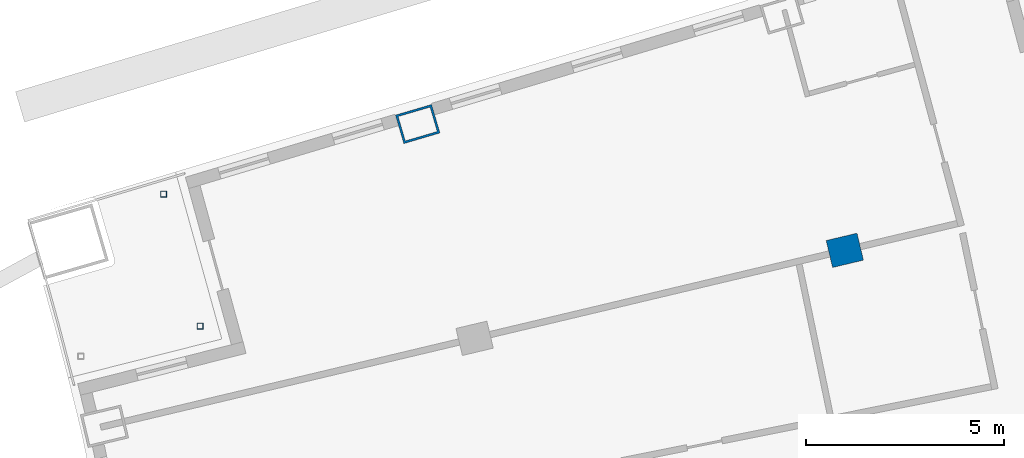
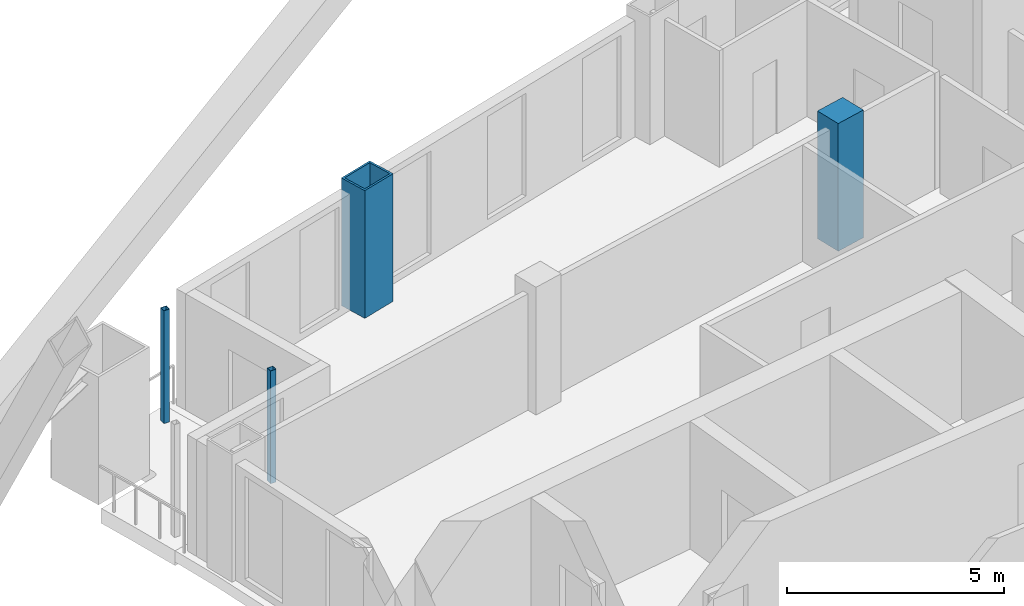
# One storey, part 7 of 20: 4 columns.
"""IFC4 building model written with IfcOpenShell, lengths in metres."""

import ifcopenshell
import ifcopenshell.guid

model = None  # the IFC model being written
_history = None  # IfcOwnerHistory: only IFC2X3 demands one
_inside = {}  # id of a spatial element -> (the spatial element, [elements in it])
_under = {}  # id of a project, library or spatial element -> (it, [spatial elements below it])
_declared = {}  # id of a project -> (the project, [libraries it declares])
_typed = {}  # id of a type object -> (the type object, [elements of that type])
_made_of = {}  # id of a material, layer set ... -> (it, [elements and type objects made of it])


def new_model(schema):
    """Start an empty IFC model of exactly this schema.

    Asked for "IFC4X3", IfcOpenShell would pick the latest addendum, in which some entities
    have other attributes; the version numbers below select the first issue.
    IFC2X3 requires an IfcOwnerHistory on every rooted entity: one is made here for all.
    """
    global model, _history
    if schema == "IFC4X3":
        model = ifcopenshell.file(schema_version=(4, 3, 0, 0))
    else:
        model = ifcopenshell.file(schema=schema)
    _inside.clear()
    _under.clear()
    _declared.clear()
    _typed.clear()
    _made_of.clear()
    _history = None
    if model.schema == "IFC2X3":
        org = make("IfcOrganization", Name="unknown")
        user = make(
            "IfcPersonAndOrganization",
            ThePerson=make("IfcPerson", FamilyName="unknown"),
            TheOrganization=org,
        )
        app = make(
            "IfcApplication",
            ApplicationDeveloper=org,
            Version="unknown",
            ApplicationFullName="unknown",
            ApplicationIdentifier="unknown",
        )
        _history = make(
            "IfcOwnerHistory",
            OwningUser=user,
            OwningApplication=app,
            ChangeAction="ADDED",
            CreationDate=0,
        )
    return model


def make(cls, **values):
    """One entity of the class cls with the attributes given. An attribute that is None is left unset."""
    return model.create_entity(
        cls, **{name: value for name, value in values.items() if value is not None}
    )


def rooted(cls, **values):
    """An entity with a GlobalId (a new one), such as an element, a storey or a relation."""
    return make(cls, GlobalId=ifcopenshell.guid.new(), OwnerHistory=_history, **values)


def si_unit(unit_type, name, prefix=None):
    """IfcSIUnit, for example si_unit("LENGTHUNIT", "METRE", prefix="MILLI")."""
    return make("IfcSIUnit", UnitType=unit_type, Prefix=prefix, Name=name)


def assignment(units):
    """IfcUnitAssignment: the units of a project."""
    return None if units is None else make("IfcUnitAssignment", Units=units)


def point(xyz):
    """IfcCartesianPoint."""
    return None if xyz is None else make("IfcCartesianPoint", Coordinates=xyz)


def direction(xyz):
    """IfcDirection."""
    return None if xyz is None else make("IfcDirection", DirectionRatios=xyz)


def frame(location, z_axis=None, x_axis=None):
    """IfcAxis2Placement3D, a coordinate frame: its origin and axes. An axis left out is left unset."""
    return make(
        "IfcAxis2Placement3D",
        Location=point(location),
        Axis=direction(z_axis),
        RefDirection=direction(x_axis),
    )


def frame_2d(location, x_axis=None):
    """IfcAxis2Placement2D, a coordinate frame in the plane: its origin and x axis."""
    return make(
        "IfcAxis2Placement2D", Location=point(location), RefDirection=direction(x_axis)
    )


def origin():
    """The frame at (0, 0, 0) with its axes left unset."""
    return frame((0.0, 0.0, 0.0))


def origin_2d():
    """The frame at (0, 0) in the plane with its x axis left unset."""
    return frame_2d((0.0, 0.0))


def place(relative_to, where):
    """IfcLocalPlacement: puts the frame where relative to a parent placement (None: the world)."""
    return make(
        "IfcLocalPlacement", PlacementRelTo=relative_to, RelativePlacement=where
    )


def context(
    kind, dimensions, precision=None, world=None, true_north=None, identifier=None
):
    """IfcGeometricRepresentationContext, for example the 3D "Model" context."""
    return make(
        "IfcGeometricRepresentationContext",
        ContextIdentifier=identifier,
        ContextType=kind,
        CoordinateSpaceDimension=dimensions,
        Precision=precision,
        WorldCoordinateSystem=world,
        TrueNorth=true_north,
    )


def subcontext(parent, identifier, kind, view, scale=None):
    """IfcGeometricRepresentationSubContext, for example "Body" below "Model"."""
    return make(
        "IfcGeometricRepresentationSubContext",
        ContextIdentifier=identifier,
        ContextType=kind,
        ParentContext=parent,
        TargetScale=scale,
        TargetView=view,
    )


def project(units=None, contexts=None):
    """IfcProject with its units and contexts."""
    return rooted(
        "IfcProject",
        Name="project",
        RepresentationContexts=contexts,
        UnitsInContext=assignment(units),
    )


def spatial(cls, under=None, at=None, **own):
    """A site, building, storey or space (cls), placed at a placement, below another one or the project."""
    s = rooted(cls, ObjectPlacement=at, **own)
    if under is not None:
        _under.setdefault(under.id(), (under, []))[1].append(s)
    return s


def profile(cls, at=None, kind="AREA", **sizes):
    """A parametric profile (cls). Its sizes go by their IFC names, for example OverallWidth=200.0."""
    return make(cls, ProfileType=kind, Position=at, **sizes)


def rectangle(**sizes):
    """IfcRectangleProfileDef."""
    return profile("IfcRectangleProfileDef", **sizes)


def hollow_rectangle(**sizes):
    """IfcRectangleHollowProfileDef."""
    return profile("IfcRectangleHollowProfileDef", **sizes)


def extrude(swept, where, along, depth):
    """IfcExtrudedAreaSolid: the profile swept, set in the frame where, extruded along a direction by depth."""
    return make(
        "IfcExtrudedAreaSolid",
        SweptArea=swept,
        Position=where,
        ExtrudedDirection=direction(along),
        Depth=depth,
    )


def shape(context_of_items, identifier, shape_type, items):
    """IfcShapeRepresentation: the items that make up one representation, for example the "Body"."""
    return make(
        "IfcShapeRepresentation",
        ContextOfItems=context_of_items,
        RepresentationIdentifier=identifier,
        RepresentationType=shape_type,
        Items=items,
    )


def material(Name=None, Category=None):
    """IfcMaterial."""
    return make("IfcMaterial", Name=Name, Category=Category)


def material_profile(
    of_material, cross_section, Name=None, Category=None, Priority=None
):
    """IfcMaterialProfile: a cross section and its material."""
    return make(
        "IfcMaterialProfile",
        Name=Name,
        Material=of_material,
        Profile=cross_section,
        Priority=Priority,
        Category=Category,
    )


def profile_set(profiles, Name=None, composite=None):
    """IfcMaterialProfileSet."""
    return make(
        "IfcMaterialProfileSet",
        Name=Name,
        MaterialProfiles=profiles,
        CompositeProfile=composite,
    )


def made_of(thing, what):
    """Note that an element or type object is made of a material, layer set ...; save() writes the relation."""
    if what is not None:
        _made_of.setdefault(what.id(), (what, []))[1].append(thing)
    return thing


def type_object(cls, material=None, **own):
    """A type object (cls), such as IfcWallType, which elements share."""
    return made_of(rooted(cls, **own), material)


def element(
    cls,
    number,
    at=None,
    inside=None,
    cuts=None,
    type_object=None,
    material=None,
    context=None,
    identifier="Body",
    shape_type=None,
    held_by="IfcProductDefinitionShape",
    body=None,
    shapes=None,
    **own,
):
    """One element of the class cls, such as IfcWall. Its Tag is "e" and its number.

    at: its placement. inside: the storey or other place that contains it. cuts: it is an
    opening in that element (IfcRelVoidsElement). A single representation is given by context,
    identifier, shape_type and body (its items); several are given by shapes. held_by: the class
    of the entity that holds the representations. save() writes the other relations.
    """
    e = rooted(cls, Tag="e%d" % number, ObjectPlacement=at, **own)
    if body is not None:
        shapes = [shape(context, identifier, shape_type, body)]
    if shapes is not None:
        e.Representation = make(held_by, Representations=shapes)
    if inside is not None:
        _inside.setdefault(inside.id(), (inside, []))[1].append(e)
    if cuts is not None:
        rooted(
            "IfcRelVoidsElement", RelatingBuildingElement=cuts, RelatedOpeningElement=e
        )
    if type_object is not None:
        _typed.setdefault(type_object.id(), (type_object, []))[1].append(e)
    return made_of(e, material)


def aggregate(whole, parts):
    """IfcRelAggregates: a whole, such as a stair, and the parts it consists of."""
    return rooted("IfcRelAggregates", RelatingObject=whole, RelatedObjects=parts)


def save(model, path):
    """Write the relations noted so far, then the file.

    IfcRelAggregates (storeys below a building ...), IfcRelContainedInSpatialStructure (elements
    in a storey), IfcRelDefinesByType, IfcRelAssociatesMaterial and IfcRelDeclares: one each for
    every whole, place, type object, material and project.
    """
    for whole, parts in _under.values():
        aggregate(whole, parts)
    for where, things in _inside.values():
        rooted(
            "IfcRelContainedInSpatialStructure",
            RelatedElements=things,
            RelatingStructure=where,
        )
    for kind, things in _typed.values():
        rooted("IfcRelDefinesByType", RelatedObjects=things, RelatingType=kind)
    for what, things in _made_of.values():
        rooted("IfcRelAssociatesMaterial", RelatedObjects=things, RelatingMaterial=what)
    for by, libraries in _declared.values():
        rooted("IfcRelDeclares", RelatingContext=by, RelatedDefinitions=libraries)
    model.write(path)


model = new_model("IFC4")

# Units and contexts
model_context = context("Model", 3, precision=1e-05, world=origin(), true_north=direction((0.0, 1.0)))
body_context = subcontext(model_context, "Body", "Model", "MODEL_VIEW")
ifc_project = project(units=[si_unit("LENGTHUNIT", "METRE"), si_unit("AREAUNIT", "SQUARE_METRE"), si_unit("VOLUMEUNIT", "CUBIC_METRE"), si_unit("PLANEANGLEUNIT", "RADIAN"), si_unit("MASSUNIT", "GRAM", prefix="KILO")], contexts=[model_context])

# Site, building, storey
site_placement = place(None, origin())
site = spatial("IfcSite", under=ifc_project, at=site_placement, CompositionType="ELEMENT")
building_placement = place(site_placement, origin())
building = spatial("IfcBuilding", under=site, at=building_placement, Name="Alderwake Tower", CompositionType="ELEMENT")
storey_placement = place(building_placement, frame((0.0, 0.0, 189.199951171875)))
storey = spatial("IfcBuildingStorey", under=building, at=storey_placement, Name="L46", CompositionType="ELEMENT", Elevation=189.199951171875)

# Columns
ifc_material_1 = material(Name="Steel ASTM A572 Grade 50 concrete filled C70/85", Category="concrete")
ifc_material_profile_1 = material_profile(ifc_material_1, hollow_rectangle(XDim=0.75, YDim=0.949951171875, WallThickness=0.054931640625, at=origin_2d()), Name="BOX 950X750X55")
ifc_profile_set_1 = profile_set([ifc_material_profile_1], Name="Steel ASTM A572 Grade 50 concrete filled C70/85")
column_type_1 = type_object("IfcColumnType", Name="End column Z4", PredefinedType="COLUMN", material=ifc_profile_set_1)
column_1_placement = place(storey_placement, frame((21.885498046875, 90.96240234375, 0.0), z_axis=(0.0, 0.0, 1.0), x_axis=(-0.282132160283, 0.95937554906, 0.0)))
element("IfcColumn", 1, at=column_1_placement, inside=storey, type_object=column_type_1, Name="Column R12-C1", PredefinedType="COLUMN", context=body_context, shape_type="SweptSolid", body=[
    extrude(hollow_rectangle(XDim=0.75, YDim=0.949951171875, WallThickness=0.054931640625, at=origin_2d()), origin(), (0.0, 0.0, 1.0), 3.60009765625),
])
ifc_material_2 = material(Name="Concrete C70/85", Category="concrete")
ifc_material_profile_2 = material_profile(ifc_material_2, rectangle(XDim=0.699951171875, YDim=0.800048828125, at=origin_2d()), Name="RC 800X700")
ifc_profile_set_2 = profile_set([ifc_material_profile_2], Name="Concrete C70/85")
column_type_2 = type_object("IfcColumnType", Name="Interior column Z4", PredefinedType="COLUMN", material=ifc_profile_set_2)
column_2_placement = place(storey_placement, frame((32.661865234375, 87.775390625, 0.0), z_axis=(0.0, 0.0, 1.0), x_axis=(-0.231221547198, 0.972901123502, 0.0)))
element("IfcColumn", 2, at=column_2_placement, inside=storey, type_object=column_type_2, Name="Column R11-C2", PredefinedType="COLUMN", context=body_context, shape_type="SweptSolid", body=[
    extrude(rectangle(XDim=0.699951171875, YDim=0.800048828125, at=origin_2d()), origin(), (0.0, 0.0, 1.0), 3.60009765625),
])
ifc_material_3 = material(Name="Steel ASTM A500 Grade C", Category="steel")
ifc_material_profile_3 = material_profile(ifc_material_3, hollow_rectangle(XDim=0.15234375, YDim=0.15234375, WallThickness=0.0087890625, at=origin_2d()), Name="HSS6X6X3/8")
ifc_profile_set_3 = profile_set([ifc_material_profile_3], Name="Steel ASTM A500 Grade C")
column_type_3 = type_object("IfcColumnType", Name="Light post HSS6X6X3/8", PredefinedType="COLUMN", material=ifc_profile_set_3)
for number, where, z_axis, x_axis, name in (
    (3, (15.47412109375, 89.194091796875, 0.0), (0.0, 0.0, 1.0), (1.0, 0.0, 0.0), "Terrace post RN2"),
    (4, (16.39501953125, 85.864013671875, 0.0), (0.0, 0.0, 1.0), (1.0, 0.0, 0.0), "Terrace post RN3"),
):
    element("IfcColumn", number, at=place(storey_placement, frame(where, z_axis=z_axis, x_axis=x_axis)), inside=storey, type_object=column_type_3, Name=name, PredefinedType="COLUMN", context=body_context, shape_type="SweptSolid", body=[
        extrude(hollow_rectangle(XDim=0.15234375, YDim=0.15234375, WallThickness=0.0087890625, at=origin_2d()), origin(), (0.0, 0.0, 1.0), 3.179931640625),
    ])

save(model, "model.ifc")
